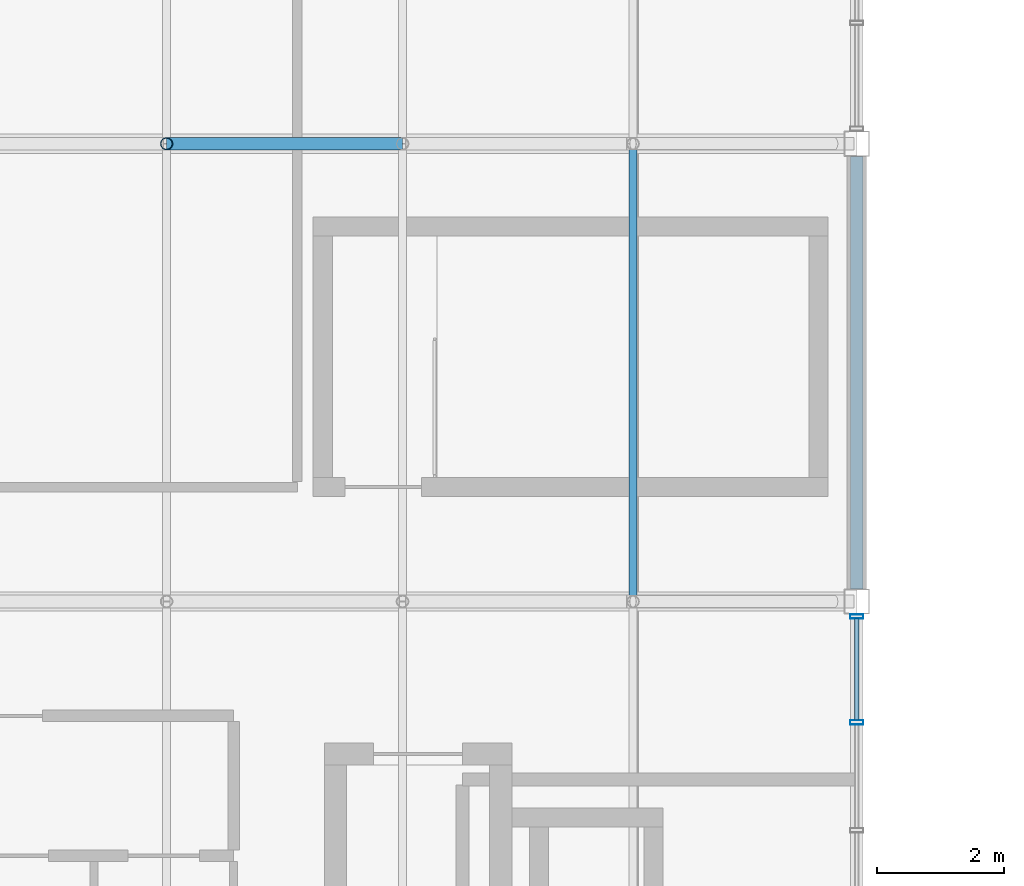
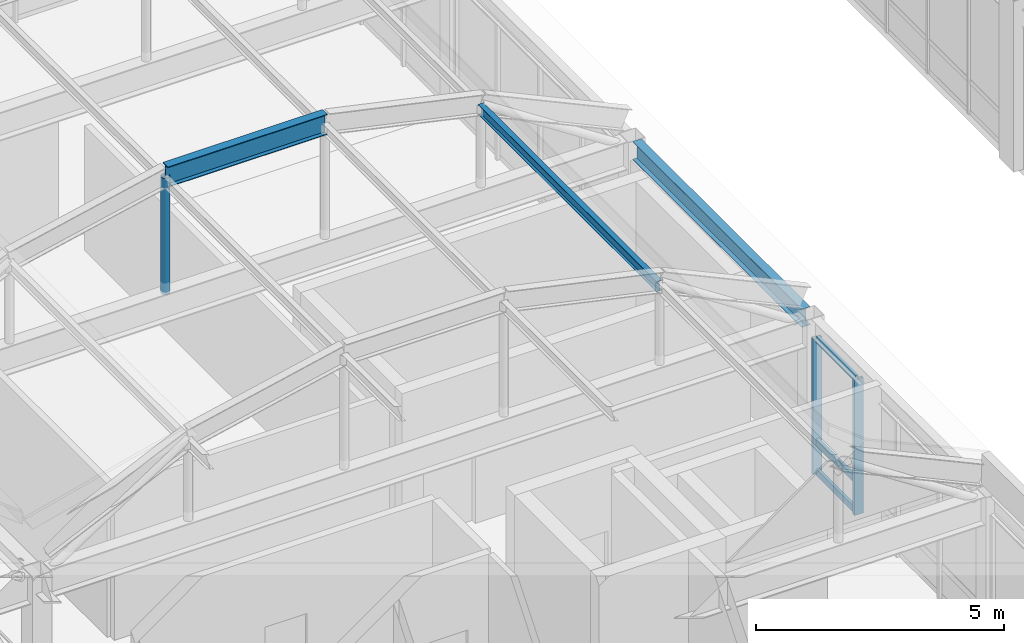
# One storey, part 49 of 106: 8 members, 1 beam, 1 element without a shape of its own.
"""IFC4 building model written with IfcOpenShell, lengths in metres."""

from ifc_helpers import new_model, si_unit, direction, frame, origin, origin_2d, place, context, subcontext, project, spatial, hollow_rectangle, hollow_circle, i_section, extrude, material, material_profile, profile_set, type_object, element, aggregate, save


model = new_model("IFC4")

# Units and contexts
model_context = context("Model", 3, precision=1e-05, world=origin(), true_north=direction((0.0, 1.0)))
body_context = subcontext(model_context, "Body", "Model", "MODEL_VIEW")
ifc_project = project(units=[si_unit("LENGTHUNIT", "METRE"), si_unit("AREAUNIT", "SQUARE_METRE"), si_unit("VOLUMEUNIT", "CUBIC_METRE"), si_unit("PLANEANGLEUNIT", "RADIAN"), si_unit("MASSUNIT", "GRAM", prefix="KILO")], contexts=[model_context])

# Site, building, storey
site_placement = place(None, origin())
site = spatial("IfcSite", under=ifc_project, at=site_placement, CompositionType="ELEMENT")
building_placement = place(site_placement, origin())
building = spatial("IfcBuilding", under=site, at=building_placement, Name="Kazanami Central Library", CompositionType="ELEMENT")
storey_placement = place(building_placement, frame((0.0, 0.0, 12.800048828125)))
storey = spatial("IfcBuildingStorey", under=building, at=storey_placement, Name="L04", CompositionType="ELEMENT", Elevation=12.800048828125)

# Beam
ifc_material_1 = material(Name="Steel SN490B (325 MPa)", Category="steel")
ifc_material_profile_1 = material_profile(ifc_material_1, i_section(OverallWidth=0.199951171875, OverallDepth=0.449951171875, WebThickness=0.009033203125, FlangeThickness=0.013916015625, at=origin_2d()), Name="H-450x200x9x14")
ifc_profile_set_1 = profile_set([ifc_material_profile_1], Name="Steel SN490B (325 MPa)")
beam_type = type_object("IfcBeamType", Name="BM-SP-2", PredefinedType="SPANDREL", material=ifc_profile_set_1)
beam_placement = place(storey_placement, frame((108.0, 72.197998046875, 3.554931640625), z_axis=(0.0, 1.0, 0.0), x_axis=(-1.0, 0.0, 0.0)))
element("IfcBeam", 1, at=beam_placement, inside=storey, type_object=beam_type, Name="Girder SP-2 L04 13/L-M", PredefinedType="SPANDREL", context=body_context, shape_type="SweptSolid", body=[
    extrude(i_section(OverallWidth=0.199951171875, OverallDepth=0.449951171875, WebThickness=0.009033203125, FlangeThickness=0.013916015625, at=origin_2d()), origin(), (0.0, 0.0, 1.0), 6.803955078125),
])

# Member
ifc_material_profile_2 = material_profile(ifc_material_1, i_section(OverallWidth=0.199951171875, OverallDepth=0.5, WebThickness=0.010009765625, FlangeThickness=0.01611328125, at=origin_2d()), Name="H-500x200x10x16")
ifc_profile_set_2 = profile_set([ifc_material_profile_2], Name="Steel SN490B (325 MPa)")
member_type_1 = type_object("IfcMemberType", Name="MEM-AR-02", PredefinedType="CHORD", material=ifc_profile_set_2)
member_1_placement = place(storey_placement, frame((97.14453125, 79.199951171875, 6.604736328125), z_axis=(1.0, 0.0, 0.0), x_axis=(0.0, 1.0, 0.0)))
element("IfcMember", 2, at=member_1_placement, inside=storey, type_object=member_type_1, Name="Barrel Vault Arch Rib AR-02 VAULT-EAST Grid M Seg 3", PredefinedType="CHORD", context=body_context, shape_type="SweptSolid", body=[
    extrude(i_section(OverallWidth=0.199951171875, OverallDepth=0.5, WebThickness=0.010009765625, FlangeThickness=0.01611328125, at=origin_2d()), origin(), (0.0, 0.0, 1.0), 3.7109375),
])

# Curtain wall, members
ifc_material_2 = material(Name="Acid-Etched Low-E Laminated Glass", Category="glass")
curtain_wall_type = type_object("IfcCurtainWallType", Name="CW-6800x3330-M180", PredefinedType="USERDEFINED", material=ifc_material_2)
curtain_wall_placement = place(storey_placement, origin())
curtain_wall = element("IfcCurtainWall", 3, at=curtain_wall_placement, inside=storey, type_object=curtain_wall_type, Name="Covered Link Bridge Curtain Wall CW-44 L04 E-13-09", ObjectType="UNITISED CURTAIN WALL", PredefinedType="USERDEFINED")
ifc_material_3 = material(Name="Anodised Aluminium A6063-T5", Category="aluminium")
ifc_material_profile_3 = material_profile(ifc_material_3, hollow_rectangle(XDim=0.070068359375, YDim=0.2099609375, WallThickness=0.0048828125, at=origin_2d()), Name="ALU-MULL-70x210x5")
ifc_profile_set_3 = profile_set([ifc_material_profile_3], Name="Anodised Aluminium A6063-T5")
member_type_2 = type_object("IfcMemberType", Name="MEM-CW-M1", PredefinedType="MULLION", material=ifc_profile_set_3)
member_2_placement = place(storey_placement, frame((108.0, 71.764892578125, 0.0), z_axis=(0.0, 0.0, 1.0), x_axis=(0.0, -1.0, 0.0)))
member_2 = element("IfcMember", 4, at=member_2_placement, type_object=member_type_2, Name="CW-44 mullion 1", PredefinedType="MULLION", context=body_context, shape_type="SweptSolid", body=[
    extrude(hollow_rectangle(XDim=0.070068359375, YDim=0.2099609375, WallThickness=0.0048828125, at=origin_2d()), origin(), (0.0, 0.0, 1.0), 3.329833984375),
])
member_3_placement = place(storey_placement, frame((108.0, 70.10009765625, 0.0), z_axis=(0.0, 0.0, 1.0), x_axis=(0.0, -1.0, 0.0)))
member_3 = element("IfcMember", 5, at=member_3_placement, type_object=member_type_2, Name="CW-44 mullion 2", PredefinedType="MULLION", context=body_context, shape_type="SweptSolid", body=[
    extrude(hollow_rectangle(XDim=0.070068359375, YDim=0.2099609375, WallThickness=0.0048828125, at=origin_2d()), origin(), (0.0, 0.0, 1.0), 3.329833984375),
])
ifc_material_profile_4 = material_profile(ifc_material_3, hollow_rectangle(XDim=0.070068359375, YDim=0.159912109375, WallThickness=0.00390625, at=origin_2d()), Name="ALU-TRAN-70x160x4")
ifc_profile_set_4 = profile_set([ifc_material_profile_4], Name="Anodised Aluminium A6063-T5")
member_type_3 = type_object("IfcMemberType", Name="MEM-CW-T1", PredefinedType="USERDEFINED", material=ifc_profile_set_4)
member_4_placement = place(storey_placement, frame((108.0, 71.72998046875, 0.034912109375), z_axis=(0.0, -1.0, 0.0), x_axis=(1.0, 0.0, 0.0)))
member_4 = element("IfcMember", 6, at=member_4_placement, type_object=member_type_3, Name="CW-44 transom 1.1", ObjectType="TRANSOM", PredefinedType="USERDEFINED", context=body_context, shape_type="SweptSolid", body=[
    extrude(hollow_rectangle(XDim=0.070068359375, YDim=0.159912109375, WallThickness=0.00390625, at=origin_2d()), origin(), (0.0, 0.0, 1.0), 1.594970703125),
])
member_5_placement = place(storey_placement, frame((108.0, 71.72998046875, 0.780029296875), z_axis=(0.0, -1.0, 0.0), x_axis=(1.0, 0.0, 0.0)))
member_5 = element("IfcMember", 7, at=member_5_placement, type_object=member_type_3, Name="CW-44 transom 1.2", ObjectType="TRANSOM", PredefinedType="USERDEFINED", context=body_context, shape_type="SweptSolid", body=[
    extrude(hollow_rectangle(XDim=0.070068359375, YDim=0.159912109375, WallThickness=0.00390625, at=origin_2d()), origin(), (0.0, 0.0, 1.0), 1.594970703125),
])
member_6_placement = place(storey_placement, frame((108.0, 71.72998046875, 3.294921875), z_axis=(0.0, -1.0, 0.0), x_axis=(1.0, 0.0, 0.0)))
member_6 = element("IfcMember", 8, at=member_6_placement, type_object=member_type_3, Name="CW-44 transom 1.3", ObjectType="TRANSOM", PredefinedType="USERDEFINED", context=body_context, shape_type="SweptSolid", body=[
    extrude(hollow_rectangle(XDim=0.070068359375, YDim=0.159912109375, WallThickness=0.00390625, at=origin_2d()), origin(), (0.0, 0.0, 1.0), 1.594970703125),
])
aggregate(curtain_wall, [member_2, member_3, member_4, member_5, member_6])

# Members
ifc_material_4 = material(Name="Steel SN400B (235 MPa)", Category="steel")
ifc_material_profile_5 = material_profile(ifc_material_4, i_section(OverallWidth=0.125, OverallDepth=0.25, WebThickness=0.006103515625, FlangeThickness=0.009033203125, at=origin_2d()), Name="H-250x125x6x9")
ifc_profile_set_5 = profile_set([ifc_material_profile_5], Name="Steel SN400B (235 MPa)")
member_type_4 = type_object("IfcMemberType", Name="MEM-PUR-250", PredefinedType="PURLIN", material=ifc_profile_set_5)
member_7_placement = place(storey_placement, frame((104.480224609375, 72.0048828125, 5.669189453125), z_axis=(0.0, 1.0, 0.0), x_axis=(-1.0, 0.0, 0.0)))
element("IfcMember", 9, at=member_7_placement, inside=storey, type_object=member_type_4, Name="Barrel Vault Longitudinal Purlin VAULT-EAST Knuckle 4.2", PredefinedType="PURLIN", context=body_context, shape_type="SweptSolid", body=[
    extrude(i_section(OverallWidth=0.125, OverallDepth=0.25, WebThickness=0.006103515625, FlangeThickness=0.009033203125, at=origin_2d()), origin(), (0.0, 0.0, 1.0), 7.190185546875),
])
ifc_material_5 = material(Name="Steel STK490 (315 MPa)", Category="steel")
ifc_material_profile_6 = material_profile(ifc_material_5, hollow_circle(Radius=0.095458984375, WallThickness=0.007080078125, at=origin_2d()), Name="CHS-190.7x7.0")
ifc_profile_set_6 = profile_set([ifc_material_profile_6], Name="Steel STK490 (315 MPa)")
member_type_5 = type_object("IfcMemberType", Name="MEM-VST-190", PredefinedType="STRUT", material=ifc_profile_set_6)
member_8_placement = place(storey_placement, frame((97.14453125, 79.199951171875, 3.71484375), z_axis=(0.0, 0.0, 1.0), x_axis=(1.0, 0.0, 0.0)))
element("IfcMember", 10, at=member_8_placement, inside=storey, type_object=member_type_5, Name="Barrel Vault Tied-Arch Web Strut VAULT-EAST Grid M Knuckle 2", PredefinedType="STRUT", context=body_context, shape_type="SweptSolid", body=[
    extrude(hollow_circle(Radius=0.095458984375, WallThickness=0.007080078125, at=origin_2d()), origin(), (0.0, 0.0, 1.0), 2.869873046875),
])

save(model, "model.ifc")
